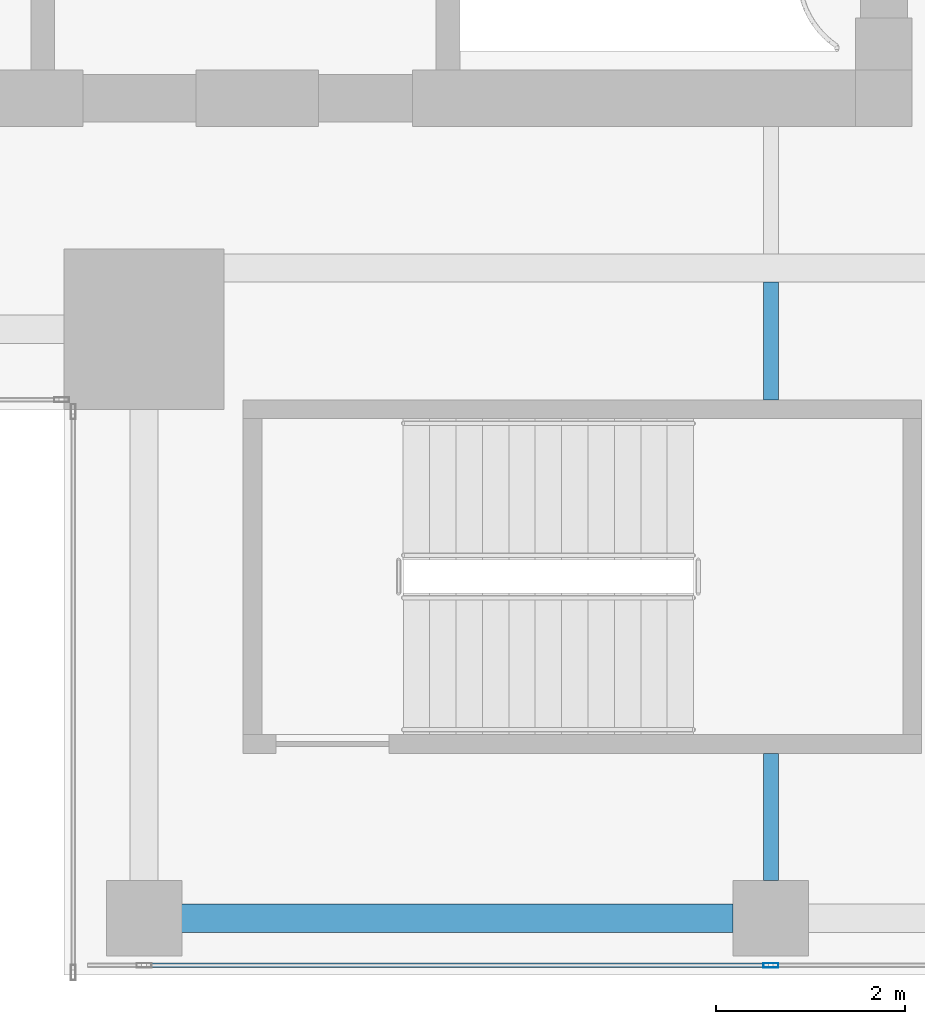
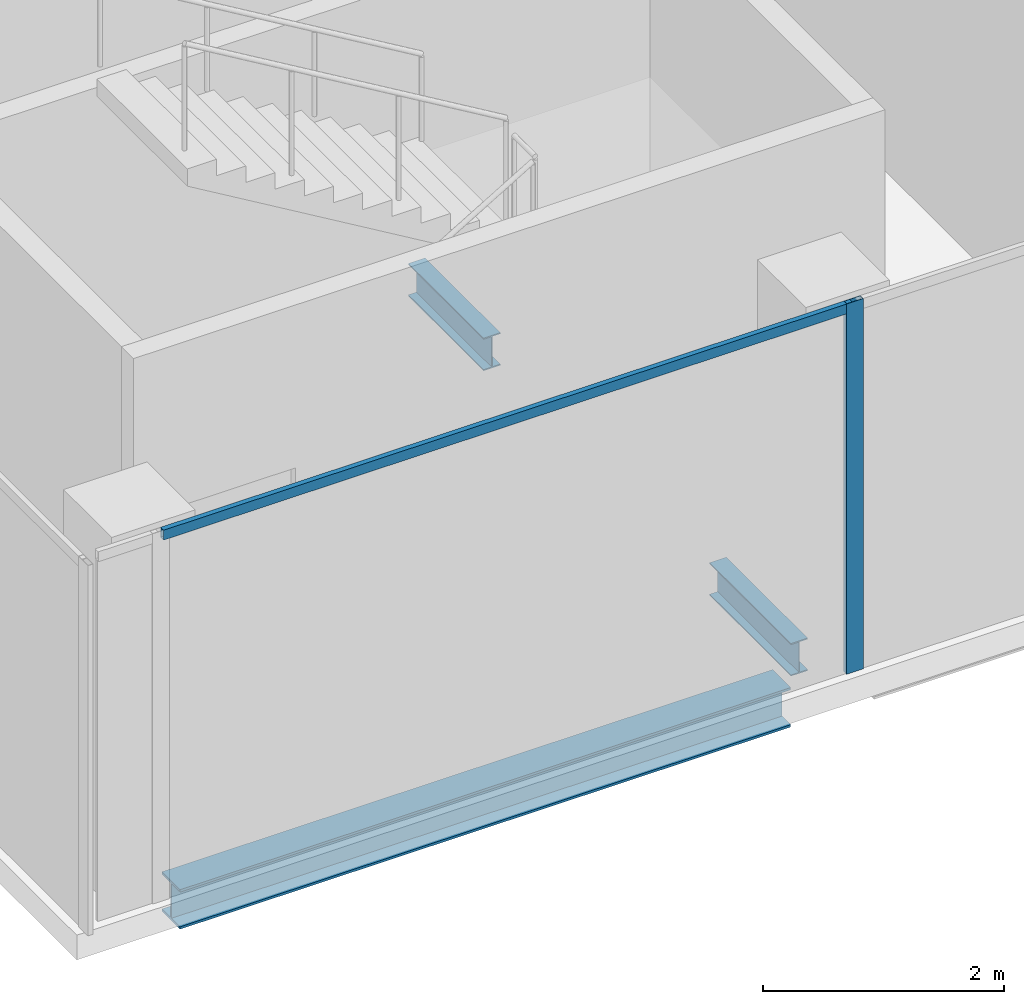
# One storey, part 3 of 29: 3 beams, 2 members, 1 element without a shape of its own.
"""IFC4 building model written with IfcOpenShell, lengths in metres."""

from ifc_helpers import new_model, si_unit, direction, frame, origin, origin_2d, place, context, subcontext, project, spatial, hollow_rectangle, i_section, extrude, source, transform, mapped, material, material_profile, profile_set, type_object, element, aggregate, save


model = new_model("IFC4")

# Units and contexts
model_context = context("Model", 3, precision=1e-05, world=origin(), true_north=direction((0.0, 1.0)))
body_context = subcontext(model_context, "Body", "Model", "MODEL_VIEW")
ifc_project = project(units=[si_unit("LENGTHUNIT", "METRE"), si_unit("AREAUNIT", "SQUARE_METRE"), si_unit("VOLUMEUNIT", "CUBIC_METRE"), si_unit("PLANEANGLEUNIT", "RADIAN"), si_unit("MASSUNIT", "GRAM", prefix="KILO")], contexts=[model_context])

# Site, building, storey
site_placement = place(None, origin())
site = spatial("IfcSite", under=ifc_project, at=site_placement, CompositionType="ELEMENT")
building_placement = place(site_placement, origin())
building = spatial("IfcBuilding", under=site, at=building_placement, Name="Khomas Fold Tower", CompositionType="ELEMENT")
storey_placement = place(building_placement, frame((0.0, 0.0, 314.199951171875)))
storey = spatial("IfcBuildingStorey", under=building, at=storey_placement, Name="L71", CompositionType="ELEMENT", Elevation=314.199951171875)

# Beams
ifc_material_1 = material(Name="Steel S355", Category="steel")
ifc_material_profile_1 = material_profile(ifc_material_1, i_section(OverallWidth=0.159912109375, OverallDepth=0.330078125, WebThickness=0.007568359375, FlangeThickness=0.011474609375, at=origin_2d()), Name="IPE 330")
ifc_profile_set_1 = profile_set([ifc_material_profile_1], Name="Steel S355")
beam_type_1 = type_object("IfcBeamType", Name="IPE 330 beam JB1", PredefinedType="BEAM", material=ifc_profile_set_1)
shared_shape_1 = source(origin(), body_context, "Body", "SweptSolid", [
    extrude(i_section(OverallWidth=0.159912109375, OverallDepth=0.330078125, WebThickness=0.007568359375, FlangeThickness=0.011474609375, at=origin_2d()), origin(), (0.0, 0.0, 1.0), 1.25),
])
beam_1_placement = place(storey_placement, frame((19.5, 12.10009765625, -0.4150390625), z_axis=(0.0, 1.0, 0.0), x_axis=(-1.0, 0.0, 0.0)))
element("IfcBeam", 1, at=beam_1_placement, inside=storey, type_object=beam_type_1, Name="JB1", PredefinedType="BEAM", context=body_context, shape_type="MappedRepresentation", body=[
    mapped(shared_shape_1, transform((0.0, 0.0, 0.0))),
])
shared_shape_2 = source(origin(), body_context, "Body", "SweptSolid", [
    extrude(i_section(OverallWidth=0.159912109375, OverallDepth=0.330078125, WebThickness=0.007568359375, FlangeThickness=0.011474609375, at=origin_2d()), origin(), (0.0, 0.0, 1.0), 1.35009765625),
])
beam_2_placement = place(storey_placement, frame((19.5, 7.0, -0.4150390625), z_axis=(0.0, 1.0, 0.0), x_axis=(-1.0, 0.0, 0.0)))
element("IfcBeam", 2, at=beam_2_placement, inside=storey, type_object=beam_type_1, Name="JB1", PredefinedType="BEAM", context=body_context, shape_type="MappedRepresentation", body=[
    mapped(shared_shape_2, transform((0.0, 0.0, 0.0))),
])
ifc_material_2 = material(Name="Steel S355", Category="steel")
ifc_material_profile_2 = material_profile(ifc_material_2, i_section(OverallWidth=0.300048828125, OverallDepth=0.39990234375, WebThickness=0.013427734375, FlangeThickness=0.02392578125, at=origin_2d()), Name="HE 400 B")
ifc_profile_set_2 = profile_set([ifc_material_profile_2], Name="Steel S355")
beam_type_2 = type_object("IfcBeamType", Name="HE 400 B spandrel SB5", PredefinedType="SPANDREL", material=ifc_profile_set_2)
shared_shape_3 = source(origin(), body_context, "Body", "SweptSolid", [
    extrude(i_section(OverallWidth=0.300048828125, OverallDepth=0.39990234375, WebThickness=0.013427734375, FlangeThickness=0.02392578125, at=origin_2d()), origin(), (0.0, 0.0, 1.0), 5.85009765625),
])
beam_3_placement = place(storey_placement, frame((13.25, 6.60009765625, -0.449951171875), z_axis=(1.0, 0.0, 0.0), x_axis=(0.0, 1.0, 0.0)))
element("IfcBeam", 3, at=beam_3_placement, inside=storey, type_object=beam_type_2, Name="SB5", PredefinedType="SPANDREL", context=body_context, shape_type="MappedRepresentation", body=[
    mapped(shared_shape_3, transform((0.0, 0.0, 0.0))),
])

# Curtain wall, members
ifc_material_3 = material(Name="Aluminium framed double glazing", Category="aluminium")
curtain_wall_type = type_object("IfcCurtainWallType", Name="SK-Unitised clear-glass wall, upper floors CW3", PredefinedType="NOTDEFINED", material=ifc_material_3)
curtain_wall_placement = place(storey_placement, origin())
curtain_wall = element("IfcCurtainWall", 4, at=curtain_wall_placement, inside=storey, type_object=curtain_wall_type, Name="CW3 run L71 00-0", PredefinedType="NOTDEFINED")
ifc_material_4 = material(Name="Aluminium", Category="aluminium")
ifc_material_profile_3 = material_profile(ifc_material_4, hollow_rectangle(XDim=0.050048828125, YDim=0.159912109375, WallThickness=0.00390625, at=origin_2d()), Name="SK-Unitised clear-glass wall, upper floors mullion CW3-M")
ifc_profile_set_3 = profile_set([ifc_material_profile_3], Name="Aluminium")
member_type_1 = type_object("IfcMemberType", Name="SK-Unitised clear-glass wall, upper floors mullion CW3-M", PredefinedType="MULLION", material=ifc_profile_set_3)
shared_shape_4 = source(origin(), body_context, "Body", "SweptSolid", [
    extrude(hollow_rectangle(XDim=0.050048828125, YDim=0.159912109375, WallThickness=0.00390625, at=origin_2d()), origin(), (0.0, 0.0, 1.0), 3.75),
])
member_1_placement = place(storey_placement, frame((19.5, 6.10009765625, 0.0), z_axis=(0.0, 0.0, 1.0), x_axis=(0.0, 1.0, 0.0)))
member_1 = element("IfcMember", 5, at=member_1_placement, type_object=member_type_1, Name="CW3 mullion 3", PredefinedType="MULLION", context=body_context, shape_type="MappedRepresentation", body=[
    mapped(shared_shape_4, transform((0.0, 0.0, 0.0))),
])
ifc_material_5 = material(Name="Aluminium", Category="aluminium")
ifc_material_profile_4 = material_profile(ifc_material_5, hollow_rectangle(XDim=0.050048828125, YDim=0.10009765625, WallThickness=0.00390625, at=origin_2d()), Name="SK-Unitised clear-glass wall, upper floors transom CW3-T")
ifc_profile_set_4 = profile_set([ifc_material_profile_4], Name="Aluminium")
member_type_2 = type_object("IfcMemberType", Name="SK-Unitised clear-glass wall, upper floors transom CW3-T", PredefinedType="USERDEFINED", material=ifc_profile_set_4)
shared_shape_5 = source(origin(), body_context, "Body", "SweptSolid", [
    extrude(hollow_rectangle(XDim=0.050048828125, YDim=0.10009765625, WallThickness=0.00390625, at=origin_2d()), origin(), (0.0, 0.0, 1.0), 6.60009765625),
])
member_2_placement = place(storey_placement, frame((12.875, 6.10009765625, 3.699951171875), z_axis=(1.0, 0.0, 0.0), x_axis=(0.0, 1.0, 0.0)))
member_2 = element("IfcMember", 6, at=member_2_placement, type_object=member_type_2, Name="CW3 transom 2", ObjectType="TRANSOM", PredefinedType="USERDEFINED", context=body_context, shape_type="MappedRepresentation", body=[
    mapped(shared_shape_5, transform((0.0, 0.0, 0.0))),
])
aggregate(curtain_wall, [member_1, member_2])

save(model, "model.ifc")
